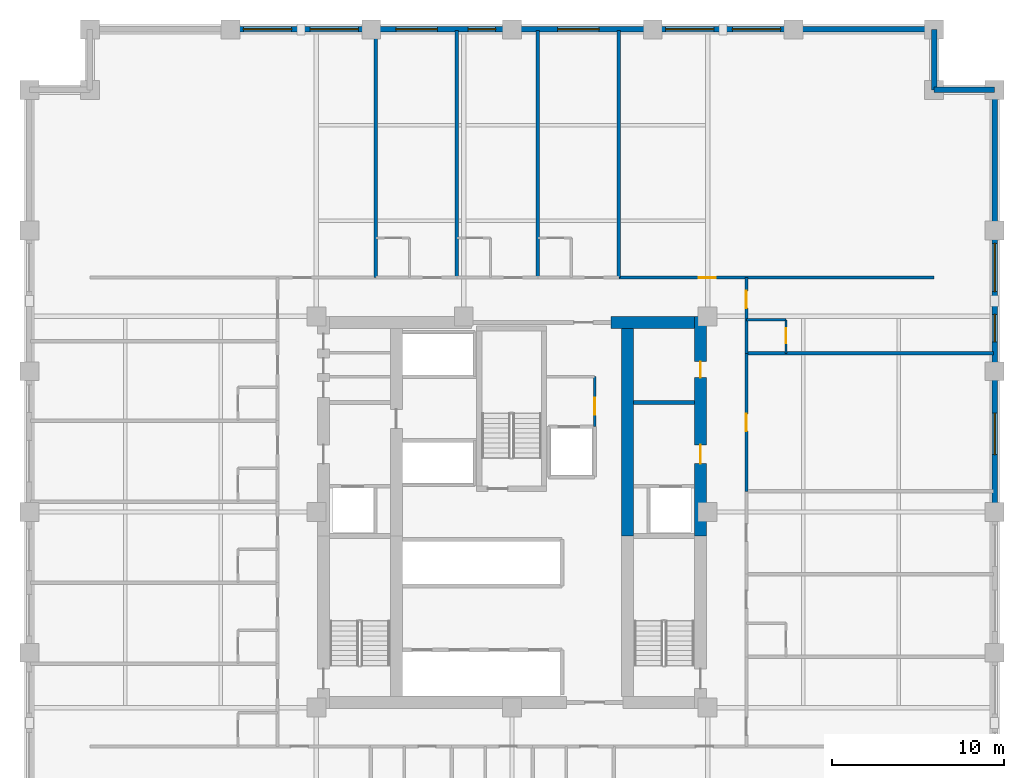
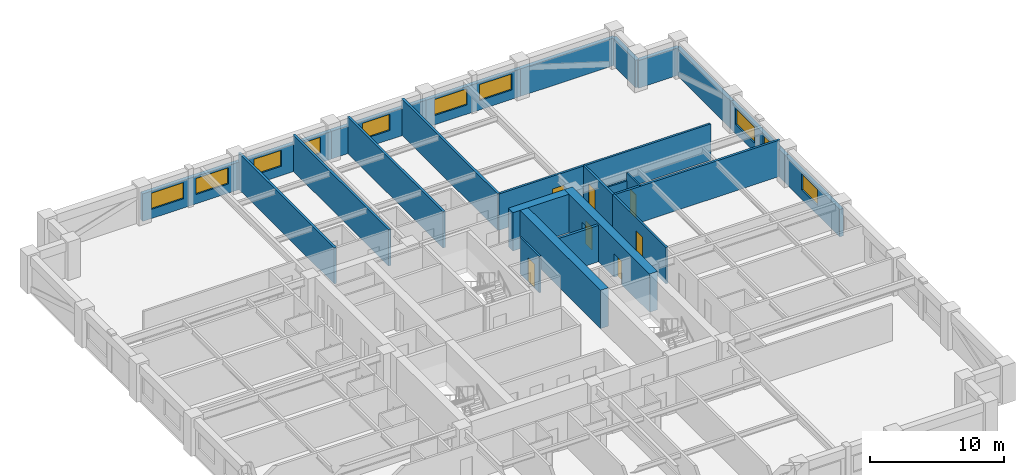
# One storey, part 6 of 8: 25 walls, 10 windows, 7 doors, 17 openings.
"""IFC4 building model written with IfcOpenShell, lengths in metres."""

from ifc_helpers import new_model, si_unit, direction, frame, frame_2d, origin, place, context, subcontext, project, spatial, rectangle, extrude, material, layer, layer_set, type_object, element, fill, save


model = new_model("IFC4")

# Units and contexts
model_context = context("Model", 3, precision=1e-05, world=origin(), true_north=direction((0.0, 1.0)))
body_context = subcontext(model_context, "Body", "Model", "MODEL_VIEW")
ifc_project = project(units=[si_unit("LENGTHUNIT", "METRE"), si_unit("AREAUNIT", "SQUARE_METRE"), si_unit("VOLUMEUNIT", "CUBIC_METRE"), si_unit("PLANEANGLEUNIT", "RADIAN"), si_unit("MASSUNIT", "GRAM", prefix="KILO")], contexts=[model_context])

# Site, building, storey
site_placement = place(None, origin())
site = spatial("IfcSite", under=ifc_project, at=site_placement, CompositionType="ELEMENT")
building_placement = place(site_placement, origin())
building = spatial("IfcBuilding", under=site, at=building_placement, Name="Nhamokura Convention Tower", CompositionType="ELEMENT")
storey_placement = place(building_placement, frame((0.0, 0.0, 42.35009765625)))
storey = spatial("IfcBuildingStorey", under=building, at=storey_placement, Name="L08", CompositionType="ELEMENT", Elevation=42.35009765625)

# Wall
ifc_material_1 = material(Name="Moisture-resistant tile-backer partition", Category="masonry")
ifc_layer_1 = layer(ifc_material_1, 0.139892578125)
ifc_layer_set_1 = layer_set([ifc_layer_1], Name="BathroomWetWall_140")
wall_type_1 = type_object("IfcWallType", Name="BathroomWetWall_140", PredefinedType="STANDARD", material=ifc_layer_set_1)
wall_1_placement = place(storey_placement, frame((45.60009765625, 43.14990234375, 0.0), z_axis=(0.0, 0.0, 1.0), x_axis=(1.0, 0.0, 0.0)))
element("IfcWall", 1, at=wall_1_placement, inside=storey, type_object=wall_type_1, Name="L08 Wall INT-L08-BW-E04N", PredefinedType="STANDARD", context=body_context, shape_type="SweptSolid", body=[
    extrude(rectangle(XDim=2.2998046875, YDim=0.139892578125, at=frame_2d((1.14990234375, 0.0))), origin(), (0.0, 0.0, 1.0), 2.614990234375),
])

# Wall, opening, door
wall_2_placement = place(storey_placement, frame((47.89990234375, 41.199951171875, 0.0), z_axis=(0.0, 0.0, 1.0), x_axis=(0.0, 1.0, 0.0)))
wall_2 = element("IfcWall", 2, at=wall_2_placement, inside=storey, type_object=wall_type_1, Name="L08 Wall INT-L08-BW-E04E", PredefinedType="STANDARD", context=body_context, shape_type="SweptSolid", body=[
    extrude(rectangle(XDim=1.949951171875, YDim=0.139892578125, at=frame_2d((0.97509765625, 0.0))), origin(), (0.0, 0.0, 1.0), 3.31982421875),
])
opening_1_placement = place(wall_2_placement, frame((0.580078125, 0.0, 0.0)))
opening_1 = element("IfcOpeningElement", 3, at=opening_1_placement, cuts=wall_2, Name="Opening D-11", PredefinedType="OPENING", context=body_context, shape_type="SweptSolid", body=[
    extrude(rectangle(XDim=0.8798828125, YDim=2.10009765625, at=frame_2d((0.43994140625, 1.050048828125))), frame((0.0, 0.079833984375, 0.0), z_axis=(0.0, -1.0, 0.0), x_axis=(1.0, 0.0, 0.0)), (0.0, 0.0, 1.0), 0.159912109375),
])
ifc_material_2 = material(Name="Solid oak hardwood", Category="wood")
door_type_1 = type_object("IfcDoorType", Name="BathroomDoor_880", OperationType="NOTDEFINED", PredefinedType="DOOR", material=ifc_material_2)
door_1_placement = place(opening_1_placement, origin())
door_1 = element("IfcDoor", 4, at=door_1_placement, inside=storey, type_object=door_type_1, Name="L08 Guest Room En-suite Door", OperationType="SINGLE_SWING_LEFT", OverallHeight=2.10009765625, OverallWidth=0.8798828125, PredefinedType="DOOR", context=body_context, shape_type="SweptSolid", body=[
    extrude(rectangle(XDim=0.8798828125, YDim=2.10009765625, at=frame_2d((0.43994140625, 1.050048828125))), frame((0.0, 0.02490234375, 0.0), z_axis=(0.0, -1.0, 0.0), x_axis=(1.0, 0.0, 0.0)), (0.0, 0.0, 1.0), 0.050048828125),
])
fill(opening_1, door_1)

# Wall, openings, windows
ifc_material_3 = material(Name="Bronze-pigmented precast concrete C45/55", Category="concrete")
ifc_layer_2 = layer(ifc_material_3, 0.320068359375)
ifc_layer_set_2 = layer_set([ifc_layer_2], Name="BronzePrecastSpandrel_320")
wall_type_2 = type_object("IfcWallType", Name="BronzePrecastSpandrel_320", PredefinedType="USERDEFINED", material=ifc_layer_set_2)
wall_3_placement = place(storey_placement, frame((15.666748046875, 60.0, 0.0), z_axis=(0.0, 0.0, 1.0), x_axis=(1.0, 0.0, 0.0)))
wall_3 = element("IfcWall", 5, at=wall_3_placement, inside=storey, type_object=wall_type_2, Name="L08 Masonry-Frame Wall NORTH 1", ObjectType="SPANDREL_WALL", PredefinedType="USERDEFINED", context=body_context, shape_type="SweptSolid", body=[
    extrude(rectangle(XDim=8.16650390625, YDim=0.320068359375, at=frame_2d((4.083251953125, 0.0))), origin(), (0.0, 0.0, 1.0), 2.52001953125),
])
opening_2_placement = place(wall_3_placement, frame((0.74169921875, 0.0, 0.85009765625)))
opening_2 = element("IfcOpeningElement", 6, at=opening_2_placement, cuts=wall_3, Name="Opening W-04", PredefinedType="OPENING", context=body_context, shape_type="SweptSolid", body=[
    extrude(rectangle(XDim=2.800048828125, YDim=1.469970703125, at=frame_2d((1.39990234375, 0.73486328125))), frame((0.0, 0.169921875, 0.0), z_axis=(0.0, -1.0, 0.0), x_axis=(1.0, 0.0, 0.0)), (0.0, 0.0, 1.0), 0.340087890625),
])
opening_3_placement = place(wall_3_placement, frame((4.625, 0.0, 0.85009765625)))
opening_3 = element("IfcOpeningElement", 7, at=opening_3_placement, cuts=wall_3, Name="Opening W-04", PredefinedType="OPENING", context=body_context, shape_type="SweptSolid", body=[
    extrude(rectangle(XDim=2.800048828125, YDim=1.469970703125, at=frame_2d((1.39990234375, 0.73486328125))), frame((0.0, 0.169921875, 0.0), z_axis=(0.0, -1.0, 0.0), x_axis=(1.0, 0.0, 0.0)), (0.0, 0.0, 1.0), 0.340087890625),
])
ifc_material_4 = material(Name="Solar-control bronze low-E double glass", Category="glass")
window_type_1 = type_object("IfcWindowType", Name="HotelSuiteWindow_2800", PartitioningType="DOUBLE_PANEL_VERTICAL", PredefinedType="WINDOW", material=ifc_material_4)
window_1_placement = place(opening_2_placement, origin())
window_1 = element("IfcWindow", 8, at=window_1_placement, inside=storey, type_object=window_type_1, Name="L08 Facade Window NORTH 1-1", OverallHeight=1.469970703125, OverallWidth=2.800048828125, PartitioningType="SINGLE_PANEL", PredefinedType="WINDOW", context=body_context, shape_type="SweptSolid", body=[
    extrude(rectangle(XDim=2.800048828125, YDim=1.469970703125, at=frame_2d((1.39990234375, 0.73486328125))), frame((0.0, 0.030029296875, 0.0), z_axis=(0.0, -1.0, 0.0), x_axis=(1.0, 0.0, 0.0)), (0.0, 0.0, 1.0), 0.06005859375),
])
fill(opening_2, window_1)
window_2_placement = place(opening_3_placement, origin())
window_2 = element("IfcWindow", 9, at=window_2_placement, inside=storey, type_object=window_type_1, Name="L08 Facade Window NORTH 1-2", OverallHeight=1.469970703125, OverallWidth=2.800048828125, PartitioningType="SINGLE_PANEL", PredefinedType="WINDOW", context=body_context, shape_type="SweptSolid", body=[
    extrude(rectangle(XDim=2.800048828125, YDim=1.469970703125, at=frame_2d((1.39990234375, 0.73486328125))), frame((0.0, 0.030029296875, 0.0), z_axis=(0.0, -1.0, 0.0), x_axis=(1.0, 0.0, 0.0)), (0.0, 0.0, 1.0), 0.06005859375),
])
fill(opening_3, window_2)

wall_4_placement = place(storey_placement, frame((23.833251953125, 60.0, 0.0), z_axis=(0.0, 0.0, 1.0), x_axis=(1.0, 0.0, 0.0)))
wall_4 = element("IfcWall", 10, at=wall_4_placement, inside=storey, type_object=wall_type_2, Name="L08 Masonry-Frame Wall NORTH 2", ObjectType="SPANDREL_WALL", PredefinedType="USERDEFINED", context=body_context, shape_type="SweptSolid", body=[
    extrude(rectangle(XDim=8.166748046875, YDim=0.320068359375, at=frame_2d((4.08349609375, 0.0))), origin(), (0.0, 0.0, 1.0), 2.52001953125),
])
opening_4_placement = place(wall_4_placement, frame((1.433349609375, 0.0, 0.85009765625)))
opening_4 = element("IfcOpeningElement", 11, at=opening_4_placement, cuts=wall_4, Name="Opening W-03", PredefinedType="OPENING", context=body_context, shape_type="SweptSolid", body=[
    extrude(rectangle(XDim=2.39990234375, YDim=1.469970703125, at=frame_2d((1.199951171875, 0.73486328125))), frame((0.0, 0.169921875, 0.0), z_axis=(0.0, -1.0, 0.0), x_axis=(1.0, 0.0, 0.0)), (0.0, 0.0, 1.0), 0.340087890625),
])
opening_5_placement = place(wall_4_placement, frame((5.61669921875, 0.0, 0.85009765625)))
opening_5 = element("IfcOpeningElement", 12, at=opening_5_placement, cuts=wall_4, Name="Opening W-11", PredefinedType="OPENING", context=body_context, shape_type="SweptSolid", body=[
    extrude(rectangle(XDim=1.60009765625, YDim=1.469970703125, at=frame_2d((0.800048828125, 0.73486328125))), frame((0.0, 0.169921875, 0.0), z_axis=(0.0, -1.0, 0.0), x_axis=(1.0, 0.0, 0.0)), (0.0, 0.0, 1.0), 0.340087890625),
])
ifc_material_5 = material(Name="Solar-control bronze low-E double glass", Category="glass")
window_type_2 = type_object("IfcWindowType", Name="HotelBayWindow_2400", PartitioningType="DOUBLE_PANEL_VERTICAL", PredefinedType="WINDOW", material=ifc_material_5)
window_3_placement = place(opening_4_placement, origin())
window_3 = element("IfcWindow", 13, at=window_3_placement, inside=storey, type_object=window_type_2, Name="L08 Facade Window NORTH 2-1", OverallHeight=1.469970703125, OverallWidth=2.39990234375, PartitioningType="SINGLE_PANEL", PredefinedType="WINDOW", context=body_context, shape_type="SweptSolid", body=[
    extrude(rectangle(XDim=2.39990234375, YDim=1.469970703125, at=frame_2d((1.199951171875, 0.73486328125))), frame((0.0, 0.030029296875, 0.0), z_axis=(0.0, -1.0, 0.0), x_axis=(1.0, 0.0, 0.0)), (0.0, 0.0, 1.0), 0.06005859375),
])
fill(opening_4, window_3)
ifc_material_6 = material(Name="Solar-control bronze low-E double glass", Category="glass")
window_type_3 = type_object("IfcWindowType", Name="NotchCornerWindow_1600", PartitioningType="SINGLE_PANEL", PredefinedType="WINDOW", material=ifc_material_6)
window_4_placement = place(opening_5_placement, origin())
window_4 = element("IfcWindow", 14, at=window_4_placement, inside=storey, type_object=window_type_3, Name="L08 Facade Window NORTH 2-2", OverallHeight=1.469970703125, OverallWidth=1.60009765625, PartitioningType="SINGLE_PANEL", PredefinedType="WINDOW", context=body_context, shape_type="SweptSolid", body=[
    extrude(rectangle(XDim=1.60009765625, YDim=1.469970703125, at=frame_2d((0.800048828125, 0.73486328125))), frame((0.0, 0.030029296875, 0.0), z_axis=(0.0, -1.0, 0.0), x_axis=(1.0, 0.0, 0.0)), (0.0, 0.0, 1.0), 0.06005859375),
])
fill(opening_5, window_4)

# Wall, opening, window
wall_5_placement = place(storey_placement, frame((32.0, 60.0, 0.0), z_axis=(0.0, 0.0, 1.0), x_axis=(1.0, 0.0, 0.0)))
wall_5 = element("IfcWall", 15, at=wall_5_placement, inside=storey, type_object=wall_type_2, Name="L08 Masonry-Frame Wall NORTH 3", ObjectType="SPANDREL_WALL", PredefinedType="USERDEFINED", context=body_context, shape_type="SweptSolid", body=[
    extrude(rectangle(XDim=8.166748046875, YDim=0.320068359375, at=frame_2d((4.08349609375, 0.0))), origin(), (0.0, 0.0, 1.0), 2.52001953125),
])
opening_6_placement = place(wall_5_placement, frame((2.64990234375, 0.0, 0.85009765625)))
opening_6 = element("IfcOpeningElement", 16, at=opening_6_placement, cuts=wall_5, Name="Opening W-03", PredefinedType="OPENING", context=body_context, shape_type="SweptSolid", body=[
    extrude(rectangle(XDim=2.39990234375, YDim=1.469970703125, at=frame_2d((1.199951171875, 0.73486328125))), frame((0.0, 0.169921875, 0.0), z_axis=(0.0, -1.0, 0.0), x_axis=(1.0, 0.0, 0.0)), (0.0, 0.0, 1.0), 0.340087890625),
])
window_5_placement = place(opening_6_placement, origin())
window_5 = element("IfcWindow", 17, at=window_5_placement, inside=storey, type_object=window_type_2, Name="L08 Facade Window NORTH 3-2", OverallHeight=1.469970703125, OverallWidth=2.39990234375, PartitioningType="SINGLE_PANEL", PredefinedType="WINDOW", context=body_context, shape_type="SweptSolid", body=[
    extrude(rectangle(XDim=2.39990234375, YDim=1.469970703125, at=frame_2d((1.199951171875, 0.73486328125))), frame((0.0, 0.030029296875, 0.0), z_axis=(0.0, -1.0, 0.0), x_axis=(1.0, 0.0, 0.0)), (0.0, 0.0, 1.0), 0.06005859375),
])
fill(opening_6, window_5)

# Wall, openings, windows
wall_6_placement = place(storey_placement, frame((40.166748046875, 60.0, 0.0), z_axis=(0.0, 0.0, 1.0), x_axis=(1.0, 0.0, 0.0)))
wall_6 = element("IfcWall", 18, at=wall_6_placement, inside=storey, type_object=wall_type_2, Name="L08 Masonry-Frame Wall NORTH 4", ObjectType="SPANDREL_WALL", PredefinedType="USERDEFINED", context=body_context, shape_type="SweptSolid", body=[
    extrude(rectangle(XDim=8.16650390625, YDim=0.320068359375, at=frame_2d((4.083251953125, 0.0))), origin(), (0.0, 0.0, 1.0), 2.52001953125),
])
opening_7_placement = place(wall_6_placement, frame((0.74169921875, 0.0, 0.85009765625)))
opening_7 = element("IfcOpeningElement", 19, at=opening_7_placement, cuts=wall_6, Name="Opening W-04", PredefinedType="OPENING", context=body_context, shape_type="SweptSolid", body=[
    extrude(rectangle(XDim=2.800048828125, YDim=1.469970703125, at=frame_2d((1.39990234375, 0.73486328125))), frame((0.0, 0.169921875, 0.0), z_axis=(0.0, -1.0, 0.0), x_axis=(1.0, 0.0, 0.0)), (0.0, 0.0, 1.0), 0.340087890625),
])
opening_8_placement = place(wall_6_placement, frame((4.625, 0.0, 0.85009765625)))
opening_8 = element("IfcOpeningElement", 20, at=opening_8_placement, cuts=wall_6, Name="Opening W-04", PredefinedType="OPENING", context=body_context, shape_type="SweptSolid", body=[
    extrude(rectangle(XDim=2.800048828125, YDim=1.469970703125, at=frame_2d((1.39990234375, 0.73486328125))), frame((0.0, 0.169921875, 0.0), z_axis=(0.0, -1.0, 0.0), x_axis=(1.0, 0.0, 0.0)), (0.0, 0.0, 1.0), 0.340087890625),
])
window_6_placement = place(opening_7_placement, origin())
window_6 = element("IfcWindow", 21, at=window_6_placement, inside=storey, type_object=window_type_1, Name="L08 Facade Window NORTH 4-1", OverallHeight=1.469970703125, OverallWidth=2.800048828125, PartitioningType="SINGLE_PANEL", PredefinedType="WINDOW", context=body_context, shape_type="SweptSolid", body=[
    extrude(rectangle(XDim=2.800048828125, YDim=1.469970703125, at=frame_2d((1.39990234375, 0.73486328125))), frame((0.0, 0.030029296875, 0.0), z_axis=(0.0, -1.0, 0.0), x_axis=(1.0, 0.0, 0.0)), (0.0, 0.0, 1.0), 0.06005859375),
])
fill(opening_7, window_6)
window_7_placement = place(opening_8_placement, origin())
window_7 = element("IfcWindow", 22, at=window_7_placement, inside=storey, type_object=window_type_1, Name="L08 Facade Window NORTH 4-2", OverallHeight=1.469970703125, OverallWidth=2.800048828125, PartitioningType="SINGLE_PANEL", PredefinedType="WINDOW", context=body_context, shape_type="SweptSolid", body=[
    extrude(rectangle(XDim=2.800048828125, YDim=1.469970703125, at=frame_2d((1.39990234375, 0.73486328125))), frame((0.0, 0.030029296875, 0.0), z_axis=(0.0, -1.0, 0.0), x_axis=(1.0, 0.0, 0.0)), (0.0, 0.0, 1.0), 0.06005859375),
])
fill(opening_8, window_7)

# Wall
wall_7_placement = place(storey_placement, frame((48.333251953125, 60.0, 0.0), z_axis=(0.0, 0.0, 1.0), x_axis=(1.0, 0.0, 0.0)))
element("IfcWall", 23, at=wall_7_placement, inside=storey, type_object=wall_type_2, Name="L08 Braced-Bay Precast Wall NORTH 5", ObjectType="SPANDREL_WALL", PredefinedType="USERDEFINED", context=body_context, shape_type="SweptSolid", body=[
    extrude(rectangle(XDim=8.166748046875, YDim=0.320068359375, at=frame_2d((4.08349609375, 0.0))), origin(), (0.0, 0.0, 1.0), 2.52001953125),
])

# Wall, opening, window
wall_8_placement = place(storey_placement, frame((60.0, 40.166748046875, 0.0), z_axis=(0.0, 0.0, 1.0), x_axis=(0.0, -1.0, 0.0)))
wall_8 = element("IfcWall", 24, at=wall_8_placement, inside=storey, type_object=wall_type_2, Name="L08 Masonry-Frame Wall EAST 3", ObjectType="SPANDREL_WALL", PredefinedType="USERDEFINED", context=body_context, shape_type="SweptSolid", body=[
    extrude(rectangle(XDim=8.166748046875, YDim=0.320068359375, at=frame_2d((4.08349609375, 0.0))), origin(), (0.0, 0.0, 1.0), 2.52001953125),
])
opening_9_placement = place(wall_8_placement, frame((2.433349609375, 0.0, 0.85009765625)))
opening_9 = element("IfcOpeningElement", 25, at=opening_9_placement, cuts=wall_8, Name="Opening W-03", PredefinedType="OPENING", context=body_context, shape_type="SweptSolid", body=[
    extrude(rectangle(XDim=2.39990234375, YDim=1.469970703125, at=frame_2d((1.199951171875, 0.73486328125))), frame((0.0, 0.169921875, 0.0), z_axis=(0.0, -1.0, 0.0), x_axis=(1.0, 0.0, 0.0)), (0.0, 0.0, 1.0), 0.340087890625),
])
window_8_placement = place(opening_9_placement, origin())
window_8 = element("IfcWindow", 26, at=window_8_placement, inside=storey, type_object=window_type_2, Name="L08 Facade Window EAST 3-1", OverallHeight=1.469970703125, OverallWidth=2.39990234375, PartitioningType="SINGLE_PANEL", PredefinedType="WINDOW", context=body_context, shape_type="SweptSolid", body=[
    extrude(rectangle(XDim=2.39990234375, YDim=1.469970703125, at=frame_2d((1.199951171875, 0.73486328125))), frame((0.0, 0.030029296875, 0.0), z_axis=(0.0, -1.0, 0.0), x_axis=(1.0, 0.0, 0.0)), (0.0, 0.0, 1.0), 0.06005859375),
])
fill(opening_9, window_8)

# Wall, openings, windows
wall_9_placement = place(storey_placement, frame((60.0, 48.333251953125, 0.0), z_axis=(0.0, 0.0, 1.0), x_axis=(0.0, -1.0, 0.0)))
wall_9 = element("IfcWall", 27, at=wall_9_placement, inside=storey, type_object=wall_type_2, Name="L08 Masonry-Frame Wall EAST 4", ObjectType="SPANDREL_WALL", PredefinedType="USERDEFINED", context=body_context, shape_type="SweptSolid", body=[
    extrude(rectangle(XDim=8.16650390625, YDim=0.320068359375, at=frame_2d((4.083251953125, 0.0))), origin(), (0.0, 0.0, 1.0), 2.52001953125),
])
opening_10_placement = place(wall_9_placement, frame((0.74169921875, 0.0, 0.85009765625)))
opening_10 = element("IfcOpeningElement", 28, at=opening_10_placement, cuts=wall_9, Name="Opening W-04", PredefinedType="OPENING", context=body_context, shape_type="SweptSolid", body=[
    extrude(rectangle(XDim=2.800048828125, YDim=1.469970703125, at=frame_2d((1.39990234375, 0.73486328125))), frame((0.0, 0.169921875, 0.0), z_axis=(0.0, -1.0, 0.0), x_axis=(1.0, 0.0, 0.0)), (0.0, 0.0, 1.0), 0.340087890625),
])
opening_11_placement = place(wall_9_placement, frame((4.8583984375, 0.0, 0.85009765625)))
opening_11 = element("IfcOpeningElement", 29, at=opening_11_placement, cuts=wall_9, Name="Opening W-11", PredefinedType="OPENING", context=body_context, shape_type="SweptSolid", body=[
    extrude(rectangle(XDim=1.60009765625, YDim=1.469970703125, at=frame_2d((0.800048828125, 0.73486328125))), frame((0.0, 0.169921875, 0.0), z_axis=(0.0, -1.0, 0.0), x_axis=(1.0, 0.0, 0.0)), (0.0, 0.0, 1.0), 0.340087890625),
])
window_9_placement = place(opening_10_placement, origin())
window_9 = element("IfcWindow", 30, at=window_9_placement, inside=storey, type_object=window_type_1, Name="L08 Facade Window EAST 4-1", OverallHeight=1.469970703125, OverallWidth=2.800048828125, PartitioningType="SINGLE_PANEL", PredefinedType="WINDOW", context=body_context, shape_type="SweptSolid", body=[
    extrude(rectangle(XDim=2.800048828125, YDim=1.469970703125, at=frame_2d((1.39990234375, 0.73486328125))), frame((0.0, 0.030029296875, 0.0), z_axis=(0.0, -1.0, 0.0), x_axis=(1.0, 0.0, 0.0)), (0.0, 0.0, 1.0), 0.06005859375),
])
fill(opening_10, window_9)
window_10_placement = place(opening_11_placement, origin())
window_10 = element("IfcWindow", 31, at=window_10_placement, inside=storey, type_object=window_type_3, Name="L08 Facade Window EAST 4-2", OverallHeight=1.469970703125, OverallWidth=1.60009765625, PartitioningType="SINGLE_PANEL", PredefinedType="WINDOW", context=body_context, shape_type="SweptSolid", body=[
    extrude(rectangle(XDim=1.60009765625, YDim=1.469970703125, at=frame_2d((0.800048828125, 0.73486328125))), frame((0.0, 0.030029296875, 0.0), z_axis=(0.0, -1.0, 0.0), x_axis=(1.0, 0.0, 0.0)), (0.0, 0.0, 1.0), 0.06005859375),
])
fill(opening_11, window_10)

# Walls
wall_10_placement = place(storey_placement, frame((60.0, 56.5, 0.0), z_axis=(0.0, 0.0, 1.0), x_axis=(0.0, -1.0, 0.0)))
element("IfcWall", 32, at=wall_10_placement, inside=storey, type_object=wall_type_2, Name="L08 Braced-Bay Precast Wall EAST 5", ObjectType="SPANDREL_WALL", PredefinedType="USERDEFINED", context=body_context, shape_type="SweptSolid", body=[
    extrude(rectangle(XDim=8.166748046875, YDim=0.320068359375, at=frame_2d((4.08349609375, 0.0))), origin(), (0.0, 0.0, 1.0), 2.52001953125),
])
for number, where, z_axis, x_axis, name in (
    (33, (56.5, 56.5, 0.0), (0.0, 0.0, 1.0), (1.0, 0.0, 0.0), "L08 Notched Corner Wall NE1"),
    (34, (56.5, 60.0, 0.0), (0.0, 0.0, 1.0), (0.0, -1.0, 0.0), "L08 Notched Corner Wall NE2"),
):
    element("IfcWall", number, at=place(storey_placement, frame(where, z_axis=z_axis, x_axis=x_axis)), inside=storey, type_object=wall_type_2, Name=name, ObjectType="SPANDREL_WALL", PredefinedType="USERDEFINED", context=body_context, shape_type="SweptSolid", body=[
        extrude(rectangle(XDim=3.5, YDim=0.320068359375, at=frame_2d((1.75, 0.0))), origin(), (0.0, 0.0, 1.0), 2.52001953125),
    ])

# Wall, openings, doors
ifc_material_7 = material(Name="Concrete C70/85", Category="concrete")
ifc_layer_3 = layer(ifc_material_7, 0.699951171875)
ifc_layer_set_3 = layer_set([ifc_layer_3], Name="CoreShearWall_700")
wall_type_3 = type_object("IfcWallType", Name="CoreShearWall_700", PredefinedType="SHEAR", material=ifc_layer_set_3)
wall_11_placement = place(storey_placement, frame((42.93994140625, 30.60009765625, 0.0), z_axis=(0.0, 0.0, 1.0), x_axis=(0.0, 1.0, 0.0)))
wall_11 = element("IfcWall", 35, at=wall_11_placement, inside=storey, type_object=wall_type_3, Name="L08 Core Shear Wall CW-EN", PredefinedType="SHEAR", context=body_context, shape_type="SweptSolid", body=[
    extrude(rectangle(XDim=12.75, YDim=0.699951171875, at=frame_2d((6.375, 0.0))), origin(), (0.0, 0.0, 1.0), 3.5),
])
opening_12_placement = place(wall_11_placement, frame((4.199951171875, 0.0, 0.0)))
opening_12 = element("IfcOpeningElement", 36, at=opening_12_placement, cuts=wall_11, Name="Opening D-05", PredefinedType="OPENING", context=body_context, shape_type="SweptSolid", body=[
    extrude(rectangle(XDim=1.10009765625, YDim=2.14990234375, at=frame_2d((0.550048828125, 1.074951171875))), frame((0.0, 0.35986328125, 0.0), z_axis=(0.0, -1.0, 0.0), x_axis=(1.0, 0.0, 0.0)), (0.0, 0.0, 1.0), 0.719970703125),
])
opening_13_placement = place(wall_11_placement, frame((9.199951171875, 0.0, 0.0)))
opening_13 = element("IfcOpeningElement", 37, at=opening_13_placement, cuts=wall_11, Name="Opening D-10", PredefinedType="OPENING", context=body_context, shape_type="SweptSolid", body=[
    extrude(rectangle(XDim=0.919921875, YDim=2.10009765625, at=frame_2d((0.4599609375, 1.050048828125))), frame((0.0, 0.35986328125, 0.0), z_axis=(0.0, -1.0, 0.0), x_axis=(1.0, 0.0, 0.0)), (0.0, 0.0, 1.0), 0.719970703125),
])
ifc_material_8 = material(Name="Solid oak hardwood", Category="wood")
door_type_2 = type_object("IfcDoorType", Name="AccessibleWCDoor_920", OperationType="NOTDEFINED", PredefinedType="DOOR", material=ifc_material_8)
door_2_placement = place(opening_13_placement, origin())
door_2 = element("IfcDoor", 38, at=door_2_placement, inside=storey, type_object=door_type_2, Name="L08 Core Door INT-L08-D-UWC", OperationType="SINGLE_SWING_RIGHT", OverallHeight=2.10009765625, OverallWidth=0.919921875, PredefinedType="DOOR", context=body_context, shape_type="SweptSolid", body=[
    extrude(rectangle(XDim=0.919921875, YDim=2.10009765625, at=frame_2d((0.4599609375, 1.050048828125))), frame((0.0, 0.02490234375, 0.0), z_axis=(0.0, -1.0, 0.0), x_axis=(1.0, 0.0, 0.0)), (0.0, 0.0, 1.0), 0.050048828125),
])
fill(opening_13, door_2)
ifc_material_9 = material(Name="Fire-rated steel door", Category="steel")
door_type_3 = type_object("IfcDoorType", Name="FireLobbyDoor_1100", OperationType="NOTDEFINED", PredefinedType="DOOR", material=ifc_material_9)
door_3_placement = place(opening_12_placement, origin())
door_3 = element("IfcDoor", 39, at=door_3_placement, inside=storey, type_object=door_type_3, Name="L08 Core Door INT-L08-D-FFLE", OperationType="SINGLE_SWING_LEFT", OverallHeight=2.14990234375, OverallWidth=1.10009765625, PredefinedType="DOOR", context=body_context, shape_type="SweptSolid", body=[
    extrude(rectangle(XDim=1.10009765625, YDim=2.14990234375, at=frame_2d((0.550048828125, 1.074951171875))), frame((0.0, 0.02490234375, 0.0), z_axis=(0.0, -1.0, 0.0), x_axis=(1.0, 0.0, 0.0)), (0.0, 0.0, 1.0), 0.050048828125),
])
fill(opening_12, door_3)

# Walls
wall_12_placement = place(storey_placement, frame((37.75, 43.0, 0.0), z_axis=(0.0, 0.0, 1.0), x_axis=(1.0, 0.0, 0.0)))
element("IfcWall", 40, at=wall_12_placement, inside=storey, type_object=wall_type_3, Name="L08 Core Shear Wall CW-N2", PredefinedType="SHEAR", context=body_context, shape_type="SweptSolid", body=[
    extrude(rectangle(XDim=4.840087890625, YDim=0.699951171875, at=frame_2d((2.419921875, 0.0))), origin(), (0.0, 0.0, 1.0), 3.5),
])
wall_13_placement = place(storey_placement, frame((38.7099609375, 30.60009765625, 0.0), z_axis=(0.0, 0.0, 1.0), x_axis=(0.0, 1.0, 0.0)))
element("IfcWall", 41, at=wall_13_placement, inside=storey, type_object=wall_type_3, Name="L08 Core Shear Wall CW-IEN", PredefinedType="SHEAR", context=body_context, shape_type="SweptSolid", body=[
    extrude(rectangle(XDim=12.0498046875, YDim=0.699951171875, at=frame_2d((6.02490234375, 0.0))), origin(), (0.0, 0.0, 1.0), 3.5),
])

# Wall, opening, door
ifc_material_10 = material(Name="Fire-rated gypsum and masonry partition", Category="masonry")
ifc_layer_4 = layer(ifc_material_10, 0.179931640625)
ifc_layer_set_4 = layer_set([ifc_layer_4], Name="CorridorRatedWall_180")
wall_type_4 = type_object("IfcWallType", Name="CorridorRatedWall_180", PredefinedType="STANDARD", material=ifc_layer_set_4)
wall_14_placement = place(storey_placement, frame((38.199951171875, 45.60009765625, 0.0), z_axis=(0.0, 0.0, 1.0), x_axis=(1.0, 0.0, 0.0)))
wall_14 = element("IfcWall", 42, at=wall_14_placement, inside=storey, type_object=wall_type_4, Name="L08 Wall INT-L08-CW-N04", PredefinedType="STANDARD", context=body_context, shape_type="SweptSolid", body=[
    extrude(rectangle(XDim=18.300048828125, YDim=0.179931640625, at=frame_2d((9.14990234375, 0.0))), origin(), (0.0, 0.0, 1.0), 3.31982421875),
])
opening_14_placement = place(wall_14_placement, frame((4.625, 0.0, 0.0)))
opening_14 = element("IfcOpeningElement", 43, at=opening_14_placement, cuts=wall_14, Name="Opening D-07", PredefinedType="OPENING", context=body_context, shape_type="SweptSolid", body=[
    extrude(rectangle(XDim=1.0, YDim=2.14990234375, at=frame_2d((0.5, 1.074951171875))), frame((0.0, 0.099853515625, 0.0), z_axis=(0.0, -1.0, 0.0), x_axis=(1.0, 0.0, 0.0)), (0.0, 0.0, 1.0), 0.199951171875),
])
ifc_material_11 = material(Name="Solid oak hardwood", Category="wood")
door_type_4 = type_object("IfcDoorType", Name="HotelSuiteEntryDoor_1000", OperationType="NOTDEFINED", PredefinedType="DOOR", material=ifc_material_11)
door_4_placement = place(opening_14_placement, origin())
door_4 = element("IfcDoor", 44, at=door_4_placement, inside=storey, type_object=door_type_4, Name="L08 Conference Salon N05 Door", OperationType="SINGLE_SWING_LEFT", OverallHeight=2.14990234375, OverallWidth=1.0, PredefinedType="DOOR", context=body_context, shape_type="SweptSolid", body=[
    extrude(rectangle(XDim=1.0, YDim=2.14990234375, at=frame_2d((0.5, 1.074951171875))), frame((0.0, 0.02490234375, 0.0), z_axis=(0.0, -1.0, 0.0), x_axis=(1.0, 0.0, 0.0)), (0.0, 0.0, 1.0), 0.050048828125),
])
fill(opening_14, door_4)

wall_15_placement = place(storey_placement, frame((45.60009765625, 33.199951171875, 0.0), z_axis=(0.0, 0.0, 1.0), x_axis=(0.0, 1.0, 0.0)))
wall_15 = element("IfcWall", 45, at=wall_15_placement, inside=storey, type_object=wall_type_4, Name="L08 Wall INT-L08-CW-E03", PredefinedType="STANDARD", context=body_context, shape_type="SweptSolid", body=[
    extrude(rectangle(XDim=8.0, YDim=0.179931640625, at=frame_2d((4.0, 0.0))), origin(), (0.0, 0.0, 1.0), 3.31982421875),
])
opening_15_placement = place(wall_15_placement, frame((3.5, 0.0, 0.0)))
opening_15 = element("IfcOpeningElement", 46, at=opening_15_placement, cuts=wall_15, Name="Opening D-07", PredefinedType="OPENING", context=body_context, shape_type="SweptSolid", body=[
    extrude(rectangle(XDim=1.0, YDim=2.14990234375, at=frame_2d((0.5, 1.074951171875))), frame((0.0, 0.099853515625, 0.0), z_axis=(0.0, -1.0, 0.0), x_axis=(1.0, 0.0, 0.0)), (0.0, 0.0, 1.0), 0.199951171875),
])
door_5_placement = place(opening_15_placement, origin())
door_5 = element("IfcDoor", 47, at=door_5_placement, inside=storey, type_object=door_type_4, Name="L08 Conference Salon E04 Door", OperationType="SINGLE_SWING_RIGHT", OverallHeight=2.14990234375, OverallWidth=1.0, PredefinedType="DOOR", context=body_context, shape_type="SweptSolid", body=[
    extrude(rectangle(XDim=1.0, YDim=2.14990234375, at=frame_2d((0.5, 1.074951171875))), frame((0.0, 0.02490234375, 0.0), z_axis=(0.0, -1.0, 0.0), x_axis=(1.0, 0.0, 0.0)), (0.0, 0.0, 1.0), 0.050048828125),
])
fill(opening_15, door_5)

wall_16_placement = place(storey_placement, frame((45.60009765625, 41.199951171875, 0.0), z_axis=(0.0, 0.0, 1.0), x_axis=(0.0, 1.0, 0.0)))
wall_16 = element("IfcWall", 48, at=wall_16_placement, inside=storey, type_object=wall_type_4, Name="L08 Wall INT-L08-CW-E04", PredefinedType="STANDARD", context=body_context, shape_type="SweptSolid", body=[
    extrude(rectangle(XDim=4.400146484375, YDim=0.179931640625, at=frame_2d((2.2001953125, 0.0))), origin(), (0.0, 0.0, 1.0), 3.31982421875),
])
opening_16_placement = place(wall_16_placement, frame((2.625, 0.0, 0.0)))
opening_16 = element("IfcOpeningElement", 49, at=opening_16_placement, cuts=wall_16, Name="Opening D-07", PredefinedType="OPENING", context=body_context, shape_type="SweptSolid", body=[
    extrude(rectangle(XDim=1.0, YDim=2.14990234375, at=frame_2d((0.5, 1.074951171875))), frame((0.0, 0.099853515625, 0.0), z_axis=(0.0, -1.0, 0.0), x_axis=(1.0, 0.0, 0.0)), (0.0, 0.0, 1.0), 0.199951171875),
])
door_6_placement = place(opening_16_placement, origin())
door_6 = element("IfcDoor", 50, at=door_6_placement, inside=storey, type_object=door_type_4, Name="L08 Guest Room E05 Door", OperationType="SINGLE_SWING_LEFT", OverallHeight=2.14990234375, OverallWidth=1.0, PredefinedType="DOOR", context=body_context, shape_type="SweptSolid", body=[
    extrude(rectangle(XDim=1.0, YDim=2.14990234375, at=frame_2d((0.5, 1.074951171875))), frame((0.0, 0.02490234375, 0.0), z_axis=(0.0, -1.0, 0.0), x_axis=(1.0, 0.0, 0.0)), (0.0, 0.0, 1.0), 0.050048828125),
])
fill(opening_16, door_6)

# Walls
ifc_material_12 = material(Name="Autoclaved concrete blockwork", Category="masonry")
ifc_layer_5 = layer(ifc_material_12, 0.219970703125)
ifc_layer_set_5 = layer_set([ifc_layer_5], Name="FireLobbyWall_220")
wall_type_5 = type_object("IfcWallType", Name="FireLobbyWall_220", PredefinedType="STANDARD", material=ifc_layer_set_5)
wall_17_placement = place(storey_placement, frame((39.06005859375, 38.35009765625, 0.0), z_axis=(0.0, 0.0, 1.0), x_axis=(1.0, 0.0, 0.0)))
element("IfcWall", 51, at=wall_17_placement, inside=storey, type_object=wall_type_5, Name="L08 Wall INT-L08-FFE-N", PredefinedType="STANDARD", context=body_context, shape_type="SweptSolid", body=[
    extrude(rectangle(XDim=3.530029296875, YDim=0.219970703125, at=frame_2d((1.76513671875, 0.0))), origin(), (0.0, 0.0, 1.0), 3.31982421875),
])
ifc_material_13 = material(Name="Acoustic twin-stud gypsum partition", Category="masonry")
ifc_layer_6 = layer(ifc_material_13, 0.199951171875)
ifc_layer_set_6 = layer_set([ifc_layer_6], Name="HotelDemisingWall_200")
wall_type_6 = type_object("IfcWallType", Name="HotelDemisingWall_200", PredefinedType="STANDARD", material=ifc_layer_set_6)
for number, where, z_axis, x_axis, name in (
    (52, (24.10009765625, 45.60009765625, 0.0), (0.0, 0.0, 1.0), (0.0, 1.0, 0.0), "L08 Wall INT-L08-RW-N01"),
    (53, (28.800048828125, 45.60009765625, 0.0), (0.0, 0.0, 1.0), (0.0, 1.0, 0.0), "L08 Wall INT-L08-RW-N02"),
    (54, (33.5, 45.60009765625, 0.0), (0.0, 0.0, 1.0), (0.0, 1.0, 0.0), "L08 Wall INT-L08-RW-N03"),
    (55, (38.199951171875, 45.60009765625, 0.0), (0.0, 0.0, 1.0), (0.0, 1.0, 0.0), "L08 Wall INT-L08-RW-N04"),
    (56, (45.60009765625, 41.199951171875, 0.0), (0.0, 0.0, 1.0), (1.0, 0.0, 0.0), "L08 Wall INT-L08-RW-E04"),
):
    element("IfcWall", number, at=place(storey_placement, frame(where, z_axis=z_axis, x_axis=x_axis)), inside=storey, type_object=wall_type_6, Name=name, PredefinedType="STANDARD", context=body_context, shape_type="SweptSolid", body=[
        extrude(rectangle(XDim=14.33984375, YDim=0.199951171875, at=frame_2d((7.169921875, 0.0))), origin(), (0.0, 0.0, 1.0), 3.31982421875),
    ])

# Wall, opening, door
ifc_material_14 = material(Name="Acoustic gypsum stud partition", Category="masonry")
ifc_layer_7 = layer(ifc_material_14, 0.14990234375)
ifc_layer_set_7 = layer_set([ifc_layer_7], Name="InteriorPartition_150")
wall_type_7 = type_object("IfcWallType", Name="InteriorPartition_150", PredefinedType="STANDARD", material=ifc_layer_set_7)
wall_18_placement = place(storey_placement, frame((36.800048828125, 36.949951171875, 0.0), z_axis=(0.0, 0.0, 1.0), x_axis=(0.0, 1.0, 0.0)))
wall_18 = element("IfcWall", 57, at=wall_18_placement, inside=storey, type_object=wall_type_7, Name="L08 Wall INT-L08-NE-TELE", PredefinedType="STANDARD", context=body_context, shape_type="SweptSolid", body=[
    extrude(rectangle(XDim=2.900146484375, YDim=0.14990234375, at=frame_2d((1.4501953125, 0.0))), origin(), (0.0, 0.0, 1.0), 3.31982421875),
])
opening_17_placement = place(wall_18_placement, frame((0.699951171875, 0.0, 0.0)))
opening_17 = element("IfcOpeningElement", 58, at=opening_17_placement, cuts=wall_18, Name="Opening D-08", PredefinedType="OPENING", context=body_context, shape_type="SweptSolid", body=[
    extrude(rectangle(XDim=0.97998046875, YDim=2.199951171875, at=frame_2d((0.489990234375, 1.10009765625))), frame((0.0, 0.0849609375, 0.0), z_axis=(0.0, -1.0, 0.0), x_axis=(1.0, 0.0, 0.0)), (0.0, 0.0, 1.0), 0.169921875),
])
ifc_material_15 = material(Name="Solid oak hardwood", Category="wood")
door_type_5 = type_object("IfcDoorType", Name="OfficeEntryDoor_980", OperationType="NOTDEFINED", PredefinedType="DOOR", material=ifc_material_15)
door_7_placement = place(opening_17_placement, origin())
door_7 = element("IfcDoor", 59, at=door_7_placement, inside=storey, type_object=door_type_5, Name="L08 Core Telecom Door", OperationType="SINGLE_SWING_LEFT", OverallHeight=2.199951171875, OverallWidth=0.97998046875, PredefinedType="DOOR", context=body_context, shape_type="SweptSolid", body=[
    extrude(rectangle(XDim=0.97998046875, YDim=2.199951171875, at=frame_2d((0.489990234375, 1.10009765625))), frame((0.0, 0.02490234375, 0.0), z_axis=(0.0, -1.0, 0.0), x_axis=(1.0, 0.0, 0.0)), (0.0, 0.0, 1.0), 0.050048828125),
])
fill(opening_17, door_7)

save(model, "model.ifc")
